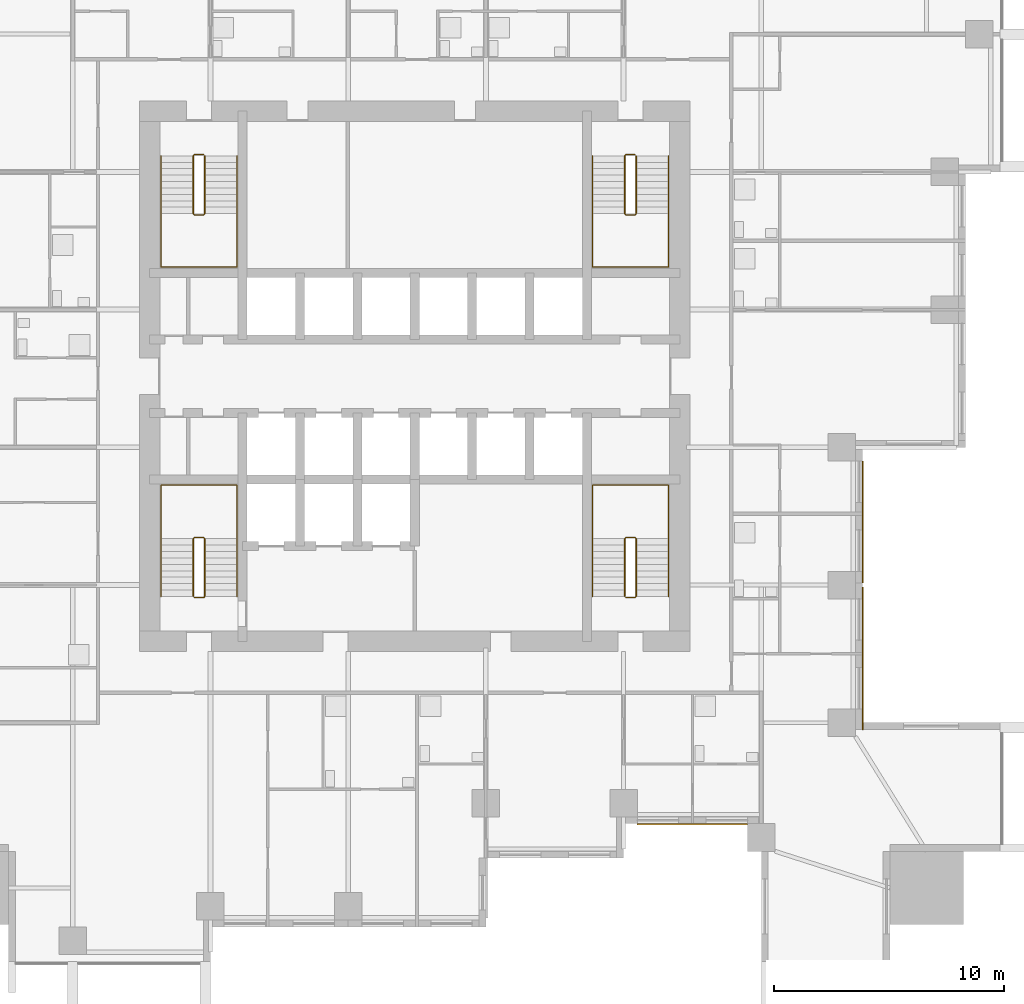
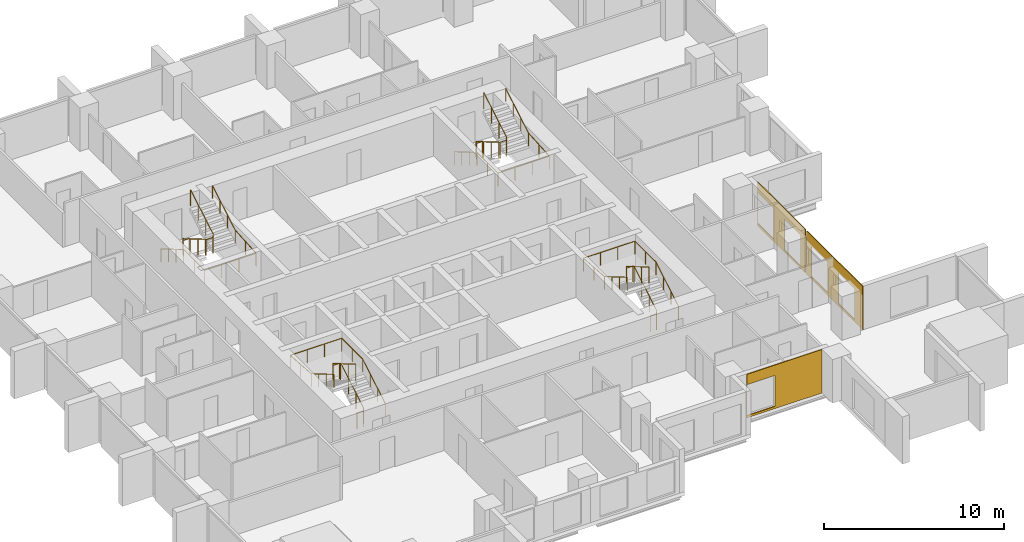
# One storey, part 9 of 10: 8 railings, 3 coverings.
"""IFC4 building model written with IfcOpenShell, lengths in metres."""

from ifc_helpers import new_model, si_unit, direction, frame, origin, origin_2d, place, context, subcontext, project, spatial, polyline, circle, outline, extrude, material, layer, layer_set, type_object, element, save


model = new_model("IFC4")

# Units and contexts
model_context = context("Model", 3, precision=1e-05, world=origin(), true_north=direction((0.0, 1.0)))
body_context = subcontext(model_context, "Body", "Model", "MODEL_VIEW")
ifc_project = project(units=[si_unit("LENGTHUNIT", "METRE"), si_unit("AREAUNIT", "SQUARE_METRE"), si_unit("VOLUMEUNIT", "CUBIC_METRE"), si_unit("PLANEANGLEUNIT", "RADIAN"), si_unit("MASSUNIT", "GRAM", prefix="KILO")], contexts=[model_context])

# Site, building, storey
site_placement = place(None, origin())
site = spatial("IfcSite", under=ifc_project, at=site_placement, CompositionType="ELEMENT")
building_placement = place(site_placement, origin())
building = spatial("IfcBuilding", under=site, at=building_placement, Name="Amberfall Residences", CompositionType="ELEMENT")
storey_placement = place(building_placement, frame((0.0, 0.0, 66.39990234375)))
storey = spatial("IfcBuildingStorey", under=building, at=storey_placement, Name="L18", CompositionType="ELEMENT", Elevation=66.39990234375)

# Coverings
ifc_material_1 = material(Name="Pale limestone cladding", Category="masonry")
ifc_layer = layer(ifc_material_1, 0.050048828125)
ifc_layer_set = layer_set([ifc_layer], Name="Limestone fascia 50")
covering_type = type_object("IfcCoveringType", Name="Limestone fascia 50", PredefinedType="CLADDING", material=ifc_layer_set)
covering_1_placement = place(storey_placement, frame((94.0, 30.10009765625, 2.9501953125), z_axis=(-1.0, 0.0, 0.0), x_axis=(0.0, 1.0, 0.0)))
element("IfcCovering", 1, at=covering_1_placement, inside=storey, type_object=covering_type, Name="Pale limestone cladding L18 E", PredefinedType="CLADDING", context=body_context, shape_type="SweptSolid", body=[
    extrude(outline(polyline([(0.0, 0.0), (6.2099609375, 0.0), (6.2099609375, 2.9501953125), (0.0, 2.9501953125), (0.0, 0.0)]), holes=[polyline([(0.89990234375, 0.7001953125), (2.699951171875, 0.7001953125), (2.699951171875, 2.800048828125), (0.89990234375, 2.800048828125), (0.89990234375, 0.7001953125)]), polyline([(3.89990234375, 0.7001953125), (5.699951171875, 0.7001953125), (5.699951171875, 2.800048828125), (3.89990234375, 2.800048828125), (3.89990234375, 0.7001953125)])]), origin(), (0.0, 0.0, -1.0), 0.050048828125),
])
covering_2_placement = place(storey_placement, frame((94.0, 36.489990234375, 2.9501953125), z_axis=(-1.0, 0.0, 0.0), x_axis=(0.0, 1.0, 0.0)))
element("IfcCovering", 2, at=covering_2_placement, inside=storey, type_object=covering_type, Name="Pale limestone cladding L18 E", PredefinedType="CLADDING", context=body_context, shape_type="SweptSolid", body=[
    extrude(outline(polyline([(0.0, 0.0), (5.311279296875, 0.0), (5.311279296875, 2.9501953125), (0.0, 2.9501953125), (0.0, 0.0)]), holes=[polyline([(0.510009765625, 0.7001953125), (2.31005859375, 0.7001953125), (2.31005859375, 2.800048828125), (0.510009765625, 2.800048828125), (0.510009765625, 0.7001953125)]), polyline([(3.510009765625, 0.7001953125), (5.31005859375, 0.7001953125), (5.31005859375, 2.800048828125), (3.510009765625, 2.800048828125), (3.510009765625, 0.7001953125)])]), origin(), (0.0, 0.0, -1.0), 0.050048828125),
])
covering_3_placement = place(storey_placement, frame((84.19189453125, 26.0, 2.9501953125), z_axis=(0.0, 1.0, 0.0), x_axis=(1.0, 0.0, 0.0)))
element("IfcCovering", 3, at=covering_3_placement, inside=storey, type_object=covering_type, Name="Pale limestone cladding L18 S", PredefinedType="CLADDING", context=body_context, shape_type="SweptSolid", body=[
    extrude(outline(polyline([(0.0, 0.0), (4.80615234375, 0.0), (4.80615234375, 2.9501953125), (0.0, 2.9501953125), (0.0, 0.0)]), holes=[polyline([(0.008056640625, 0.7001953125), (1.80810546875, 0.7001953125), (1.80810546875, 2.800048828125), (0.008056640625, 2.800048828125), (0.008056640625, 0.7001953125)])]), origin(), (0.0, 0.0, -1.0), 0.050048828125),
])

# Railings
ifc_material_2 = material(Name="Stainless steel 316", Category="steel")
railing_type_1 = type_object("IfcRailingType", Name="Stair guard 1100", PredefinedType="GUARDRAIL", material=ifc_material_2)
railing_1_placement = place(storey_placement, frame((64.89990234375, 35.85009765625, 0.0)))
element("IfcRailing", 4, at=railing_1_placement, inside=storey, type_object=railing_type_1, Name="L18 stair 1 guard", PredefinedType="GUARDRAIL", context=body_context, shape_type="SweptSolid", body=[
    extrude(circle(Radius=0.02392578125, at=origin_2d()), frame((0.0, 0.0, 1.076171875), z_axis=(1.0, 0.0, 0.0), x_axis=(0.0, 1.0, 0.0)), (0.0, 0.0, 1.0), 0.400146484375),
    extrude(circle(Radius=0.02392578125, at=origin_2d()), frame((0.400146484375, 0.0, 1.076171875), z_axis=(0.278810427259, 0.277450376394, 0.919394384522), x_axis=(-0.705375805398, 0.708833529934, 0.0)), (0.0, 0.0, 1.0), 0.179443359375),
    extrude(circle(Radius=0.02392578125, at=origin_2d()), frame((0.4501953125, 0.0498046875, 1.2412109375), z_axis=(0.0, 0.86152411907, 0.507716645641), x_axis=(-1.0, 0.0, 0.0)), (0.0, 0.0, 1.0), 2.925048828125),
    extrude(circle(Radius=0.02392578125, at=origin_2d()), frame((0.4501953125, 2.56982421875, 2.72607421875), z_axis=(-0.707106781187, 0.707106781187, 0.0), x_axis=(-0.707106781187, -0.707106781187, 0.0)), (0.0, 0.0, 1.0), 0.07080078125),
    extrude(circle(Radius=0.02392578125, at=origin_2d()), frame((0.400146484375, 2.619873046875, 2.72607421875), z_axis=(-1.0, 0.0, 0.0), x_axis=(0.0, -1.0, 0.0)), (0.0, 0.0, 1.0), 0.400146484375),
    extrude(circle(Radius=0.02392578125, at=origin_2d()), frame((0.0, 2.619873046875, 2.72607421875), z_axis=(-0.277450376394, -0.278810427259, 0.919394384522), x_axis=(0.708833529934, -0.705375805398, 0.0)), (0.0, 0.0, 1.0), 0.179443359375),
    extrude(circle(Radius=0.02392578125, at=origin_2d()), frame((-0.0498046875, 2.56982421875, 2.89111328125), z_axis=(0.0, -0.861560626758, 0.507654692109), x_axis=(1.0, 0.0, 0.0)), (0.0, 0.0, 1.0), 2.925048828125),
    extrude(circle(Radius=0.02099609375, at=origin_2d()), origin(), (0.0, 0.0, 1.0), 1.052001953125),
    extrude(circle(Radius=0.02099609375, at=origin_2d()), frame((0.400146484375, 0.0, 0.0)), (0.0, 0.0, 1.0), 1.052001953125),
    extrude(circle(Radius=0.02099609375, at=origin_2d()), frame((0.4501953125, 0.0498046875, 0.1650390625)), (0.0, 0.0, 1.0), 1.052001953125),
    extrude(circle(Radius=0.02099609375, at=origin_2d()), frame((0.4501953125, 0.889892578125, 0.66015625)), (0.0, 0.0, 1.0), 1.052001953125),
    extrude(circle(Radius=0.02099609375, at=origin_2d()), frame((0.4501953125, 1.729736328125, 1.155029296875)), (0.0, 0.0, 1.0), 1.052001953125),
    extrude(circle(Radius=0.02099609375, at=origin_2d()), frame((0.4501953125, 2.56982421875, 1.650146484375)), (0.0, 0.0, 1.0), 1.052001953125),
    extrude(circle(Radius=0.02099609375, at=origin_2d()), frame((0.400146484375, 2.619873046875, 1.650146484375)), (0.0, 0.0, 1.0), 1.052001953125),
    extrude(circle(Radius=0.02099609375, at=origin_2d()), frame((0.0, 2.619873046875, 1.650146484375)), (0.0, 0.0, 1.0), 1.052001953125),
    extrude(circle(Radius=0.02099609375, at=origin_2d()), frame((-0.0498046875, 2.56982421875, 1.815185546875)), (0.0, 0.0, 1.0), 1.052001953125),
    extrude(circle(Radius=0.02099609375, at=origin_2d()), frame((-0.0498046875, 1.729736328125, 2.31005859375)), (0.0, 0.0, 1.0), 1.052001953125),
    extrude(circle(Radius=0.02099609375, at=origin_2d()), frame((-0.0498046875, 0.889892578125, 2.80517578125)), (0.0, 0.0, 1.0), 1.052001953125),
    extrude(circle(Radius=0.02099609375, at=origin_2d()), frame((-0.0498046875, 0.0498046875, 3.300048828125)), (0.0, 0.0, 1.0), 1.052001953125),
])
railing_2_placement = place(storey_placement, frame((83.699951171875, 35.85009765625, 0.0)))
element("IfcRailing", 5, at=railing_2_placement, inside=storey, type_object=railing_type_1, Name="L18 stair 2 guard", PredefinedType="GUARDRAIL", context=body_context, shape_type="SweptSolid", body=[
    extrude(circle(Radius=0.02392578125, at=origin_2d()), frame((0.0, 0.0, 1.076171875), z_axis=(1.0, 0.0, 0.0), x_axis=(0.0, 1.0, 0.0)), (0.0, 0.0, 1.0), 0.400146484375),
    extrude(circle(Radius=0.02392578125, at=origin_2d()), frame((0.400146484375, 0.0, 1.076171875), z_axis=(0.27755538755, 0.27755538755, 0.919742362667), x_axis=(-0.707106781187, 0.707106781187, 0.0)), (0.0, 0.0, 1.0), 0.179443359375),
    extrude(circle(Radius=0.02392578125, at=origin_2d()), frame((0.449951171875, 0.0498046875, 1.2412109375), z_axis=(0.0, 0.86152411907, 0.507716645641), x_axis=(-1.0, 0.0, 0.0)), (0.0, 0.0, 1.0), 2.925048828125),
    extrude(circle(Radius=0.02392578125, at=origin_2d()), frame((0.449951171875, 2.56982421875, 2.72607421875), z_axis=(-0.705375805398, 0.708833529934, 0.0), x_axis=(-0.708833529934, -0.705375805398, 0.0)), (0.0, 0.0, 1.0), 0.070556640625),
    extrude(circle(Radius=0.02392578125, at=origin_2d()), frame((0.400146484375, 2.619873046875, 2.72607421875), z_axis=(-1.0, 0.0, 0.0), x_axis=(0.0, -1.0, 0.0)), (0.0, 0.0, 1.0), 0.400146484375),
    extrude(circle(Radius=0.02392578125, at=origin_2d()), frame((0.0, 2.619873046875, 2.72607421875), z_axis=(-0.278705021027, -0.278705021027, 0.919046801044), x_axis=(0.707106781187, -0.707106781187, 0.0)), (0.0, 0.0, 1.0), 0.1796875),
    extrude(circle(Radius=0.02392578125, at=origin_2d()), frame((-0.050048828125, 2.56982421875, 2.89111328125), z_axis=(0.0, -0.861560626758, 0.507654692109), x_axis=(1.0, 0.0, 0.0)), (0.0, 0.0, 1.0), 2.925048828125),
    extrude(circle(Radius=0.02099609375, at=origin_2d()), origin(), (0.0, 0.0, 1.0), 1.052001953125),
    extrude(circle(Radius=0.02099609375, at=origin_2d()), frame((0.400146484375, 0.0, 0.0)), (0.0, 0.0, 1.0), 1.052001953125),
    extrude(circle(Radius=0.02099609375, at=origin_2d()), frame((0.449951171875, 0.0498046875, 0.1650390625)), (0.0, 0.0, 1.0), 1.052001953125),
    extrude(circle(Radius=0.02099609375, at=origin_2d()), frame((0.449951171875, 0.889892578125, 0.66015625)), (0.0, 0.0, 1.0), 1.052001953125),
    extrude(circle(Radius=0.02099609375, at=origin_2d()), frame((0.449951171875, 1.729736328125, 1.155029296875)), (0.0, 0.0, 1.0), 1.052001953125),
    extrude(circle(Radius=0.02099609375, at=origin_2d()), frame((0.449951171875, 2.56982421875, 1.650146484375)), (0.0, 0.0, 1.0), 1.052001953125),
    extrude(circle(Radius=0.02099609375, at=origin_2d()), frame((0.400146484375, 2.619873046875, 1.650146484375)), (0.0, 0.0, 1.0), 1.052001953125),
    extrude(circle(Radius=0.02099609375, at=origin_2d()), frame((0.0, 2.619873046875, 1.650146484375)), (0.0, 0.0, 1.0), 1.052001953125),
    extrude(circle(Radius=0.02099609375, at=origin_2d()), frame((-0.050048828125, 2.56982421875, 1.815185546875)), (0.0, 0.0, 1.0), 1.052001953125),
    extrude(circle(Radius=0.02099609375, at=origin_2d()), frame((-0.050048828125, 1.729736328125, 2.31005859375)), (0.0, 0.0, 1.0), 1.052001953125),
    extrude(circle(Radius=0.02099609375, at=origin_2d()), frame((-0.050048828125, 0.889892578125, 2.80517578125)), (0.0, 0.0, 1.0), 1.052001953125),
    extrude(circle(Radius=0.02099609375, at=origin_2d()), frame((-0.050048828125, 0.0498046875, 3.300048828125)), (0.0, 0.0, 1.0), 1.052001953125),
])
railing_3_placement = place(storey_placement, frame((84.10009765625, 55.14990234375, 0.0)))
element("IfcRailing", 6, at=railing_3_placement, inside=storey, type_object=railing_type_1, Name="L18 stair 3 guard", PredefinedType="GUARDRAIL", context=body_context, shape_type="SweptSolid", body=[
    extrude(circle(Radius=0.02392578125, at=origin_2d()), frame((0.0, 0.0, 1.076171875), z_axis=(-1.0, 0.0, 0.0), x_axis=(0.0, -1.0, 0.0)), (0.0, 0.0, 1.0), 0.400146484375),
    extrude(circle(Radius=0.02392578125, at=origin_2d()), frame((-0.400146484375, 0.0, 1.076171875), z_axis=(-0.278810427259, -0.277450376394, 0.919394384522), x_axis=(0.705375805398, -0.708833529934, 0.0)), (0.0, 0.0, 1.0), 0.179443359375),
    extrude(circle(Radius=0.02392578125, at=origin_2d()), frame((-0.4501953125, -0.0498046875, 1.2412109375), z_axis=(0.0, -0.86152411907, 0.507716645641), x_axis=(1.0, 0.0, 0.0)), (0.0, 0.0, 1.0), 2.925048828125),
    extrude(circle(Radius=0.02392578125, at=origin_2d()), frame((-0.4501953125, -2.56982421875, 2.72607421875), z_axis=(0.707106781187, -0.707106781187, 0.0), x_axis=(0.707106781187, 0.707106781187, 0.0)), (0.0, 0.0, 1.0), 0.07080078125),
    extrude(circle(Radius=0.02392578125, at=origin_2d()), frame((-0.400146484375, -2.619873046875, 2.72607421875), z_axis=(1.0, 0.0, 0.0), x_axis=(0.0, 1.0, 0.0)), (0.0, 0.0, 1.0), 0.400146484375),
    extrude(circle(Radius=0.02392578125, at=origin_2d()), frame((0.0, -2.619873046875, 2.72607421875), z_axis=(0.277450376394, 0.278810427259, 0.919394384522), x_axis=(-0.708833529934, 0.705375805398, 0.0)), (0.0, 0.0, 1.0), 0.179443359375),
    extrude(circle(Radius=0.02392578125, at=origin_2d()), frame((0.0498046875, -2.56982421875, 2.89111328125), z_axis=(0.0, 0.861560626758, 0.507654692109), x_axis=(-1.0, 0.0, 0.0)), (0.0, 0.0, 1.0), 2.925048828125),
    extrude(circle(Radius=0.02099609375, at=origin_2d()), origin(), (0.0, 0.0, 1.0), 1.052001953125),
    extrude(circle(Radius=0.02099609375, at=origin_2d()), frame((-0.400146484375, 0.0, 0.0)), (0.0, 0.0, 1.0), 1.052001953125),
    extrude(circle(Radius=0.02099609375, at=origin_2d()), frame((-0.4501953125, -0.0498046875, 0.1650390625)), (0.0, 0.0, 1.0), 1.052001953125),
    extrude(circle(Radius=0.02099609375, at=origin_2d()), frame((-0.4501953125, -0.889892578125, 0.66015625)), (0.0, 0.0, 1.0), 1.052001953125),
    extrude(circle(Radius=0.02099609375, at=origin_2d()), frame((-0.4501953125, -1.729736328125, 1.155029296875)), (0.0, 0.0, 1.0), 1.052001953125),
    extrude(circle(Radius=0.02099609375, at=origin_2d()), frame((-0.4501953125, -2.56982421875, 1.650146484375)), (0.0, 0.0, 1.0), 1.052001953125),
    extrude(circle(Radius=0.02099609375, at=origin_2d()), frame((-0.400146484375, -2.619873046875, 1.650146484375)), (0.0, 0.0, 1.0), 1.052001953125),
    extrude(circle(Radius=0.02099609375, at=origin_2d()), frame((0.0, -2.619873046875, 1.650146484375)), (0.0, 0.0, 1.0), 1.052001953125),
    extrude(circle(Radius=0.02099609375, at=origin_2d()), frame((0.0498046875, -2.56982421875, 1.815185546875)), (0.0, 0.0, 1.0), 1.052001953125),
    extrude(circle(Radius=0.02099609375, at=origin_2d()), frame((0.0498046875, -1.729736328125, 2.31005859375)), (0.0, 0.0, 1.0), 1.052001953125),
    extrude(circle(Radius=0.02099609375, at=origin_2d()), frame((0.0498046875, -0.889892578125, 2.80517578125)), (0.0, 0.0, 1.0), 1.052001953125),
    extrude(circle(Radius=0.02099609375, at=origin_2d()), frame((0.0498046875, -0.0498046875, 3.300048828125)), (0.0, 0.0, 1.0), 1.052001953125),
])
railing_4_placement = place(storey_placement, frame((65.300048828125, 55.14990234375, 0.0)))
element("IfcRailing", 7, at=railing_4_placement, inside=storey, type_object=railing_type_1, Name="L18 stair 4 guard", PredefinedType="GUARDRAIL", context=body_context, shape_type="SweptSolid", body=[
    extrude(circle(Radius=0.02392578125, at=origin_2d()), frame((0.0, 0.0, 1.076171875), z_axis=(-1.0, 0.0, 0.0), x_axis=(0.0, -1.0, 0.0)), (0.0, 0.0, 1.0), 0.400146484375),
    extrude(circle(Radius=0.02392578125, at=origin_2d()), frame((-0.400146484375, 0.0, 1.076171875), z_axis=(-0.27755538755, -0.27755538755, 0.919742362667), x_axis=(0.707106781187, -0.707106781187, 0.0)), (0.0, 0.0, 1.0), 0.179443359375),
    extrude(circle(Radius=0.02392578125, at=origin_2d()), frame((-0.449951171875, -0.0498046875, 1.2412109375), z_axis=(0.0, -0.86152411907, 0.507716645641), x_axis=(1.0, 0.0, 0.0)), (0.0, 0.0, 1.0), 2.925048828125),
    extrude(circle(Radius=0.02392578125, at=origin_2d()), frame((-0.449951171875, -2.56982421875, 2.72607421875), z_axis=(0.705375805398, -0.708833529934, 0.0), x_axis=(0.708833529934, 0.705375805398, 0.0)), (0.0, 0.0, 1.0), 0.070556640625),
    extrude(circle(Radius=0.02392578125, at=origin_2d()), frame((-0.400146484375, -2.619873046875, 2.72607421875), z_axis=(1.0, 0.0, 0.0), x_axis=(0.0, 1.0, 0.0)), (0.0, 0.0, 1.0), 0.400146484375),
    extrude(circle(Radius=0.02392578125, at=origin_2d()), frame((0.0, -2.619873046875, 2.72607421875), z_axis=(0.278705021027, 0.278705021027, 0.919046801044), x_axis=(-0.707106781187, 0.707106781187, 0.0)), (0.0, 0.0, 1.0), 0.1796875),
    extrude(circle(Radius=0.02392578125, at=origin_2d()), frame((0.050048828125, -2.56982421875, 2.89111328125), z_axis=(0.0, 0.861560626758, 0.507654692109), x_axis=(-1.0, 0.0, 0.0)), (0.0, 0.0, 1.0), 2.925048828125),
    extrude(circle(Radius=0.02099609375, at=origin_2d()), origin(), (0.0, 0.0, 1.0), 1.052001953125),
    extrude(circle(Radius=0.02099609375, at=origin_2d()), frame((-0.400146484375, 0.0, 0.0)), (0.0, 0.0, 1.0), 1.052001953125),
    extrude(circle(Radius=0.02099609375, at=origin_2d()), frame((-0.449951171875, -0.0498046875, 0.1650390625)), (0.0, 0.0, 1.0), 1.052001953125),
    extrude(circle(Radius=0.02099609375, at=origin_2d()), frame((-0.449951171875, -0.889892578125, 0.66015625)), (0.0, 0.0, 1.0), 1.052001953125),
    extrude(circle(Radius=0.02099609375, at=origin_2d()), frame((-0.449951171875, -1.729736328125, 1.155029296875)), (0.0, 0.0, 1.0), 1.052001953125),
    extrude(circle(Radius=0.02099609375, at=origin_2d()), frame((-0.449951171875, -2.56982421875, 1.650146484375)), (0.0, 0.0, 1.0), 1.052001953125),
    extrude(circle(Radius=0.02099609375, at=origin_2d()), frame((-0.400146484375, -2.619873046875, 1.650146484375)), (0.0, 0.0, 1.0), 1.052001953125),
    extrude(circle(Radius=0.02099609375, at=origin_2d()), frame((0.0, -2.619873046875, 1.650146484375)), (0.0, 0.0, 1.0), 1.052001953125),
    extrude(circle(Radius=0.02099609375, at=origin_2d()), frame((0.050048828125, -2.56982421875, 1.815185546875)), (0.0, 0.0, 1.0), 1.052001953125),
    extrude(circle(Radius=0.02099609375, at=origin_2d()), frame((0.050048828125, -1.729736328125, 2.31005859375)), (0.0, 0.0, 1.0), 1.052001953125),
    extrude(circle(Radius=0.02099609375, at=origin_2d()), frame((0.050048828125, -0.889892578125, 2.80517578125)), (0.0, 0.0, 1.0), 1.052001953125),
    extrude(circle(Radius=0.02099609375, at=origin_2d()), frame((0.050048828125, -0.0498046875, 3.300048828125)), (0.0, 0.0, 1.0), 1.052001953125),
])
railing_type_2 = type_object("IfcRailingType", Name="Stair handrail 900", PredefinedType="HANDRAIL", material=ifc_material_2)
railing_5_placement = place(storey_placement, frame((66.75, 35.89990234375, 0.1650390625)))
element("IfcRailing", 8, at=railing_5_placement, inside=storey, type_object=railing_type_2, Name="L18 stair 1 handrail", PredefinedType="HANDRAIL", context=body_context, shape_type="SweptSolid", body=[
    extrude(circle(Radius=0.02392578125, at=origin_2d()), frame((0.0, 0.0, 0.8759765625), z_axis=(0.0, 0.86152411907, 0.507716645641), x_axis=(-1.0, 0.0, 0.0)), (0.0, 0.0, 1.0), 2.925048828125),
    extrude(circle(Radius=0.02392578125, at=origin_2d()), frame((0.0, 2.52001953125, 2.36083984375), z_axis=(0.0, 1.0, 0.0), x_axis=(-1.0, 0.0, 0.0)), (0.0, 0.0, 1.0), 2.330078125),
    extrude(circle(Radius=0.02392578125, at=origin_2d()), frame((0.0, 4.85009765625, 2.36083984375), z_axis=(-1.0, 0.0, 0.0), x_axis=(0.0, -1.0, 0.0)), (0.0, 0.0, 1.0), 3.300048828125),
    extrude(circle(Radius=0.02392578125, at=origin_2d()), frame((-3.300048828125, 4.85009765625, 2.36083984375), z_axis=(0.0, -0.997500965899, 0.07065283455), x_axis=(1.0, 0.0, 0.0)), (0.0, 0.0, 1.0), 2.3359375),
    extrude(circle(Radius=0.02392578125, at=origin_2d()), frame((-3.300048828125, 2.52001953125, 2.52587890625), z_axis=(0.0, -0.861560626758, 0.507654692109), x_axis=(1.0, 0.0, 0.0)), (0.0, 0.0, 1.0), 2.925048828125),
    extrude(circle(Radius=0.02099609375, at=origin_2d()), origin(), (0.0, 0.0, 1.0), 0.851806640625),
    extrude(circle(Radius=0.02099609375, at=origin_2d()), frame((0.0, 0.840087890625, 0.4951171875)), (0.0, 0.0, 1.0), 0.851806640625),
    extrude(circle(Radius=0.02099609375, at=origin_2d()), frame((0.0, 1.679931640625, 0.989990234375)), (0.0, 0.0, 1.0), 0.851806640625),
    extrude(circle(Radius=0.02099609375, at=origin_2d()), frame((0.0, 2.52001953125, 1.485107421875)), (0.0, 0.0, 1.0), 0.851806640625),
    extrude(circle(Radius=0.02099609375, at=origin_2d()), frame((0.0, 3.68505859375, 1.485107421875)), (0.0, 0.0, 1.0), 0.851806640625),
    extrude(circle(Radius=0.02099609375, at=origin_2d()), frame((0.0, 4.85009765625, 1.485107421875)), (0.0, 0.0, 1.0), 0.851806640625),
    extrude(circle(Radius=0.02099609375, at=origin_2d()), frame((-1.10009765625, 4.85009765625, 1.485107421875)), (0.0, 0.0, 1.0), 0.851806640625),
    extrude(circle(Radius=0.02099609375, at=origin_2d()), frame((-2.199951171875, 4.85009765625, 1.485107421875)), (0.0, 0.0, 1.0), 0.851806640625),
    extrude(circle(Radius=0.02099609375, at=origin_2d()), frame((-3.300048828125, 4.85009765625, 1.485107421875)), (0.0, 0.0, 1.0), 0.851806640625),
    extrude(circle(Radius=0.02099609375, at=origin_2d()), frame((-3.300048828125, 3.68505859375, 1.567626953125)), (0.0, 0.0, 1.0), 0.851806640625),
    extrude(circle(Radius=0.02099609375, at=origin_2d()), frame((-3.300048828125, 2.52001953125, 1.650146484375)), (0.0, 0.0, 1.0), 0.851806640625),
    extrude(circle(Radius=0.02099609375, at=origin_2d()), frame((-3.300048828125, 1.679931640625, 2.14501953125)), (0.0, 0.0, 1.0), 0.851806640625),
    extrude(circle(Radius=0.02099609375, at=origin_2d()), frame((-3.300048828125, 0.840087890625, 2.64013671875)), (0.0, 0.0, 1.0), 0.851806640625),
    extrude(circle(Radius=0.02099609375, at=origin_2d()), frame((-3.300048828125, 0.0, 3.135009765625)), (0.0, 0.0, 1.0), 0.851806640625),
])
railing_6_placement = place(storey_placement, frame((85.550048828125, 35.89990234375, 0.1650390625)))
element("IfcRailing", 9, at=railing_6_placement, inside=storey, type_object=railing_type_2, Name="L18 stair 2 handrail", PredefinedType="HANDRAIL", context=body_context, shape_type="SweptSolid", body=[
    extrude(circle(Radius=0.02392578125, at=origin_2d()), frame((0.0, 0.0, 0.8759765625), z_axis=(0.0, 0.86152411907, 0.507716645641), x_axis=(-1.0, 0.0, 0.0)), (0.0, 0.0, 1.0), 2.925048828125),
    extrude(circle(Radius=0.02392578125, at=origin_2d()), frame((0.0, 2.52001953125, 2.36083984375), z_axis=(0.0, 1.0, 0.0), x_axis=(-1.0, 0.0, 0.0)), (0.0, 0.0, 1.0), 2.330078125),
    extrude(circle(Radius=0.02392578125, at=origin_2d()), frame((0.0, 4.85009765625, 2.36083984375), z_axis=(-1.0, 0.0, 0.0), x_axis=(0.0, -1.0, 0.0)), (0.0, 0.0, 1.0), 3.300048828125),
    extrude(circle(Radius=0.02392578125, at=origin_2d()), frame((-3.300048828125, 4.85009765625, 2.36083984375), z_axis=(0.0, -0.997500965899, 0.07065283455), x_axis=(1.0, 0.0, 0.0)), (0.0, 0.0, 1.0), 2.3359375),
    extrude(circle(Radius=0.02392578125, at=origin_2d()), frame((-3.300048828125, 2.52001953125, 2.52587890625), z_axis=(0.0, -0.861560626758, 0.507654692109), x_axis=(1.0, 0.0, 0.0)), (0.0, 0.0, 1.0), 2.925048828125),
    extrude(circle(Radius=0.02099609375, at=origin_2d()), origin(), (0.0, 0.0, 1.0), 0.851806640625),
    extrude(circle(Radius=0.02099609375, at=origin_2d()), frame((0.0, 0.840087890625, 0.4951171875)), (0.0, 0.0, 1.0), 0.851806640625),
    extrude(circle(Radius=0.02099609375, at=origin_2d()), frame((0.0, 1.679931640625, 0.989990234375)), (0.0, 0.0, 1.0), 0.851806640625),
    extrude(circle(Radius=0.02099609375, at=origin_2d()), frame((0.0, 2.52001953125, 1.485107421875)), (0.0, 0.0, 1.0), 0.851806640625),
    extrude(circle(Radius=0.02099609375, at=origin_2d()), frame((0.0, 3.68505859375, 1.485107421875)), (0.0, 0.0, 1.0), 0.851806640625),
    extrude(circle(Radius=0.02099609375, at=origin_2d()), frame((0.0, 4.85009765625, 1.485107421875)), (0.0, 0.0, 1.0), 0.851806640625),
    extrude(circle(Radius=0.02099609375, at=origin_2d()), frame((-1.10009765625, 4.85009765625, 1.485107421875)), (0.0, 0.0, 1.0), 0.851806640625),
    extrude(circle(Radius=0.02099609375, at=origin_2d()), frame((-2.199951171875, 4.85009765625, 1.485107421875)), (0.0, 0.0, 1.0), 0.851806640625),
    extrude(circle(Radius=0.02099609375, at=origin_2d()), frame((-3.300048828125, 4.85009765625, 1.485107421875)), (0.0, 0.0, 1.0), 0.851806640625),
    extrude(circle(Radius=0.02099609375, at=origin_2d()), frame((-3.300048828125, 3.68505859375, 1.567626953125)), (0.0, 0.0, 1.0), 0.851806640625),
    extrude(circle(Radius=0.02099609375, at=origin_2d()), frame((-3.300048828125, 2.52001953125, 1.650146484375)), (0.0, 0.0, 1.0), 0.851806640625),
    extrude(circle(Radius=0.02099609375, at=origin_2d()), frame((-3.300048828125, 1.679931640625, 2.14501953125)), (0.0, 0.0, 1.0), 0.851806640625),
    extrude(circle(Radius=0.02099609375, at=origin_2d()), frame((-3.300048828125, 0.840087890625, 2.64013671875)), (0.0, 0.0, 1.0), 0.851806640625),
    extrude(circle(Radius=0.02099609375, at=origin_2d()), frame((-3.300048828125, 0.0, 3.135009765625)), (0.0, 0.0, 1.0), 0.851806640625),
])
railing_7_placement = place(storey_placement, frame((82.25, 55.10009765625, 0.1650390625)))
element("IfcRailing", 10, at=railing_7_placement, inside=storey, type_object=railing_type_2, Name="L18 stair 3 handrail", PredefinedType="HANDRAIL", context=body_context, shape_type="SweptSolid", body=[
    extrude(circle(Radius=0.02392578125, at=origin_2d()), frame((0.0, 0.0, 0.8759765625), z_axis=(0.0, -0.86152411907, 0.507716645641), x_axis=(1.0, 0.0, 0.0)), (0.0, 0.0, 1.0), 2.925048828125),
    extrude(circle(Radius=0.02392578125, at=origin_2d()), frame((0.0, -2.52001953125, 2.36083984375), z_axis=(0.0, -1.0, 0.0), x_axis=(1.0, 0.0, 0.0)), (0.0, 0.0, 1.0), 2.330078125),
    extrude(circle(Radius=0.02392578125, at=origin_2d()), frame((0.0, -4.85009765625, 2.36083984375), z_axis=(1.0, 0.0, 0.0), x_axis=(0.0, 1.0, 0.0)), (0.0, 0.0, 1.0), 3.300048828125),
    extrude(circle(Radius=0.02392578125, at=origin_2d()), frame((3.300048828125, -4.85009765625, 2.36083984375), z_axis=(0.0, 0.997500965899, 0.07065283455), x_axis=(-1.0, 0.0, 0.0)), (0.0, 0.0, 1.0), 2.3359375),
    extrude(circle(Radius=0.02392578125, at=origin_2d()), frame((3.300048828125, -2.52001953125, 2.52587890625), z_axis=(0.0, 0.861560626758, 0.507654692109), x_axis=(-1.0, 0.0, 0.0)), (0.0, 0.0, 1.0), 2.925048828125),
    extrude(circle(Radius=0.02099609375, at=origin_2d()), origin(), (0.0, 0.0, 1.0), 0.851806640625),
    extrude(circle(Radius=0.02099609375, at=origin_2d()), frame((0.0, -0.840087890625, 0.4951171875)), (0.0, 0.0, 1.0), 0.851806640625),
    extrude(circle(Radius=0.02099609375, at=origin_2d()), frame((0.0, -1.679931640625, 0.989990234375)), (0.0, 0.0, 1.0), 0.851806640625),
    extrude(circle(Radius=0.02099609375, at=origin_2d()), frame((0.0, -2.52001953125, 1.485107421875)), (0.0, 0.0, 1.0), 0.851806640625),
    extrude(circle(Radius=0.02099609375, at=origin_2d()), frame((0.0, -3.68505859375, 1.485107421875)), (0.0, 0.0, 1.0), 0.851806640625),
    extrude(circle(Radius=0.02099609375, at=origin_2d()), frame((0.0, -4.85009765625, 1.485107421875)), (0.0, 0.0, 1.0), 0.851806640625),
    extrude(circle(Radius=0.02099609375, at=origin_2d()), frame((1.10009765625, -4.85009765625, 1.485107421875)), (0.0, 0.0, 1.0), 0.851806640625),
    extrude(circle(Radius=0.02099609375, at=origin_2d()), frame((2.199951171875, -4.85009765625, 1.485107421875)), (0.0, 0.0, 1.0), 0.851806640625),
    extrude(circle(Radius=0.02099609375, at=origin_2d()), frame((3.300048828125, -4.85009765625, 1.485107421875)), (0.0, 0.0, 1.0), 0.851806640625),
    extrude(circle(Radius=0.02099609375, at=origin_2d()), frame((3.300048828125, -3.68505859375, 1.567626953125)), (0.0, 0.0, 1.0), 0.851806640625),
    extrude(circle(Radius=0.02099609375, at=origin_2d()), frame((3.300048828125, -2.52001953125, 1.650146484375)), (0.0, 0.0, 1.0), 0.851806640625),
    extrude(circle(Radius=0.02099609375, at=origin_2d()), frame((3.300048828125, -1.679931640625, 2.14501953125)), (0.0, 0.0, 1.0), 0.851806640625),
    extrude(circle(Radius=0.02099609375, at=origin_2d()), frame((3.300048828125, -0.840087890625, 2.64013671875)), (0.0, 0.0, 1.0), 0.851806640625),
    extrude(circle(Radius=0.02099609375, at=origin_2d()), frame((3.300048828125, 0.0, 3.135009765625)), (0.0, 0.0, 1.0), 0.851806640625),
])
railing_8_placement = place(storey_placement, frame((63.449951171875, 55.10009765625, 0.1650390625)))
element("IfcRailing", 11, at=railing_8_placement, inside=storey, type_object=railing_type_2, Name="L18 stair 4 handrail", PredefinedType="HANDRAIL", context=body_context, shape_type="SweptSolid", body=[
    extrude(circle(Radius=0.02392578125, at=origin_2d()), frame((0.0, 0.0, 0.8759765625), z_axis=(0.0, -0.86152411907, 0.507716645641), x_axis=(1.0, 0.0, 0.0)), (0.0, 0.0, 1.0), 2.925048828125),
    extrude(circle(Radius=0.02392578125, at=origin_2d()), frame((0.0, -2.52001953125, 2.36083984375), z_axis=(0.0, -1.0, 0.0), x_axis=(1.0, 0.0, 0.0)), (0.0, 0.0, 1.0), 2.330078125),
    extrude(circle(Radius=0.02392578125, at=origin_2d()), frame((0.0, -4.85009765625, 2.36083984375), z_axis=(1.0, 0.0, 0.0), x_axis=(0.0, 1.0, 0.0)), (0.0, 0.0, 1.0), 3.300048828125),
    extrude(circle(Radius=0.02392578125, at=origin_2d()), frame((3.300048828125, -4.85009765625, 2.36083984375), z_axis=(0.0, 0.997500965899, 0.07065283455), x_axis=(-1.0, 0.0, 0.0)), (0.0, 0.0, 1.0), 2.3359375),
    extrude(circle(Radius=0.02392578125, at=origin_2d()), frame((3.300048828125, -2.52001953125, 2.52587890625), z_axis=(0.0, 0.861560626758, 0.507654692109), x_axis=(-1.0, 0.0, 0.0)), (0.0, 0.0, 1.0), 2.925048828125),
    extrude(circle(Radius=0.02099609375, at=origin_2d()), origin(), (0.0, 0.0, 1.0), 0.851806640625),
    extrude(circle(Radius=0.02099609375, at=origin_2d()), frame((0.0, -0.840087890625, 0.4951171875)), (0.0, 0.0, 1.0), 0.851806640625),
    extrude(circle(Radius=0.02099609375, at=origin_2d()), frame((0.0, -1.679931640625, 0.989990234375)), (0.0, 0.0, 1.0), 0.851806640625),
    extrude(circle(Radius=0.02099609375, at=origin_2d()), frame((0.0, -2.52001953125, 1.485107421875)), (0.0, 0.0, 1.0), 0.851806640625),
    extrude(circle(Radius=0.02099609375, at=origin_2d()), frame((0.0, -3.68505859375, 1.485107421875)), (0.0, 0.0, 1.0), 0.851806640625),
    extrude(circle(Radius=0.02099609375, at=origin_2d()), frame((0.0, -4.85009765625, 1.485107421875)), (0.0, 0.0, 1.0), 0.851806640625),
    extrude(circle(Radius=0.02099609375, at=origin_2d()), frame((1.10009765625, -4.85009765625, 1.485107421875)), (0.0, 0.0, 1.0), 0.851806640625),
    extrude(circle(Radius=0.02099609375, at=origin_2d()), frame((2.199951171875, -4.85009765625, 1.485107421875)), (0.0, 0.0, 1.0), 0.851806640625),
    extrude(circle(Radius=0.02099609375, at=origin_2d()), frame((3.300048828125, -4.85009765625, 1.485107421875)), (0.0, 0.0, 1.0), 0.851806640625),
    extrude(circle(Radius=0.02099609375, at=origin_2d()), frame((3.300048828125, -3.68505859375, 1.567626953125)), (0.0, 0.0, 1.0), 0.851806640625),
    extrude(circle(Radius=0.02099609375, at=origin_2d()), frame((3.300048828125, -2.52001953125, 1.650146484375)), (0.0, 0.0, 1.0), 0.851806640625),
    extrude(circle(Radius=0.02099609375, at=origin_2d()), frame((3.300048828125, -1.679931640625, 2.14501953125)), (0.0, 0.0, 1.0), 0.851806640625),
    extrude(circle(Radius=0.02099609375, at=origin_2d()), frame((3.300048828125, -0.840087890625, 2.64013671875)), (0.0, 0.0, 1.0), 0.851806640625),
    extrude(circle(Radius=0.02099609375, at=origin_2d()), frame((3.300048828125, 0.0, 3.135009765625)), (0.0, 0.0, 1.0), 0.851806640625),
])

save(model, "model.ifc")
